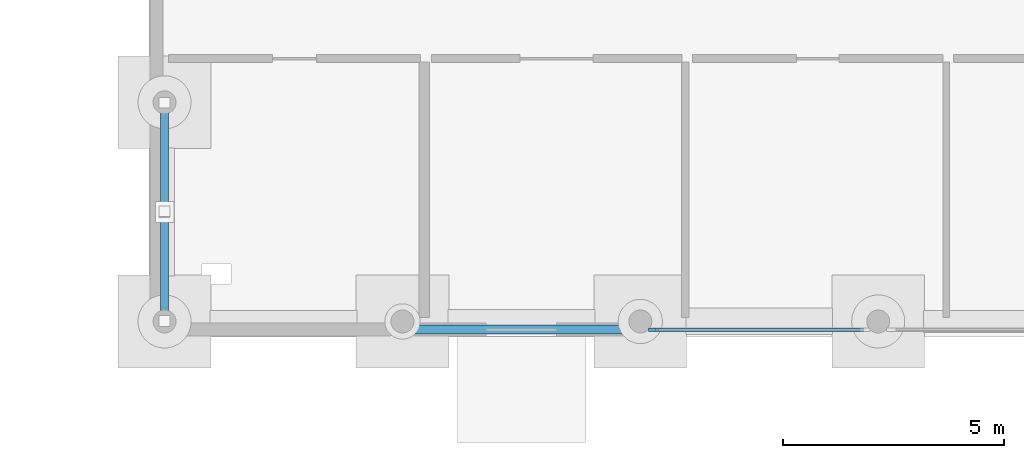
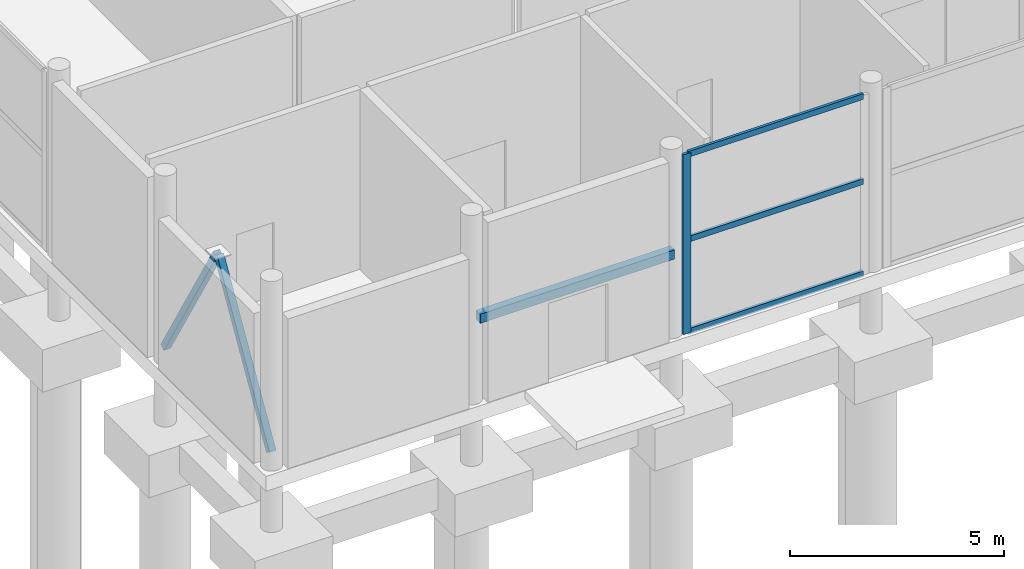
# One storey, part 33 of 88: 6 members, 1 beam, 1 element without a shape of its own.
"""IFC4 building model written with IfcOpenShell, lengths in metres."""

from ifc_helpers import new_model, si_unit, direction, frame, origin, origin_2d, place, context, subcontext, project, spatial, rectangle, hollow_rectangle, extrude, material, layer, layer_set, material_profile, profile_set, type_object, element, aggregate, save


model = new_model("IFC4")

# Units and contexts
model_context = context("Model", 3, precision=1e-05, world=origin(), true_north=direction((0.0, 1.0)))
body_context = subcontext(model_context, "Body", "Model", "MODEL_VIEW")
ifc_project = project(units=[si_unit("LENGTHUNIT", "METRE"), si_unit("AREAUNIT", "SQUARE_METRE"), si_unit("VOLUMEUNIT", "CUBIC_METRE"), si_unit("PLANEANGLEUNIT", "RADIAN"), si_unit("MASSUNIT", "GRAM", prefix="KILO")], contexts=[model_context])

# Site, building, storey
site_placement = place(None, origin())
site = spatial("IfcSite", under=ifc_project, at=site_placement, CompositionType="ELEMENT")
building_placement = place(site_placement, origin())
building = spatial("IfcBuilding", under=site, at=building_placement, Name="Birchvale Park Specialist Clinic", CompositionType="ELEMENT")
storey_placement = place(building_placement, origin())
storey = spatial("IfcBuildingStorey", under=building, at=storey_placement, Name="L00", CompositionType="ELEMENT", Elevation=0.0)

# Curtain wall, members
ifc_material_1 = material(Name="Thermally broken anodised aluminium", Category="aluminium")
ifc_layer = layer(ifc_material_1, 0.1650390625)
ifc_layer_set = layer_set([ifc_layer], Name="Thermally broken anodised aluminium")
curtain_wall_type = type_object("IfcCurtainWallType", Name="CW-S1", PredefinedType="USERDEFINED", material=ifc_layer_set)
curtain_wall_placement = place(storey_placement, origin())
curtain_wall = element("IfcCurtainWall", 1, at=curtain_wall_placement, inside=storey, type_object=curtain_wall_type, Name="V3 L00 glazed curtain wall 33", ObjectType="STICK", PredefinedType="USERDEFINED")
ifc_material_profile_1 = material_profile(ifc_material_1, rectangle(XDim=0.074951171875, YDim=0.219970703125, at=origin_2d()), Name="CWM-75x220")
ifc_profile_set_1 = profile_set([ifc_material_profile_1], Name="Thermally broken anodised aluminium")
member_type_1 = type_object("IfcMemberType", Name="CWM4", PredefinedType="MULLION", material=ifc_profile_set_1)
member_1_placement = place(storey_placement, frame((63.218994140625, 91.364990234375, 0.0), z_axis=(0.0, 0.0, 1.0), x_axis=(0.0, 1.0, 0.0)))
member_1 = element("IfcMember", 2, at=member_1_placement, type_object=member_type_1, Name="CW mullion 1", PredefinedType="MULLION", context=body_context, shape_type="SweptSolid", body=[
    extrude(rectangle(XDim=0.074951171875, YDim=0.219970703125, at=origin_2d()), origin(), (0.0, 0.0, 1.0), 5.125),
])
ifc_material_profile_2 = material_profile(ifc_material_1, rectangle(XDim=0.074951171875, YDim=0.1650390625, at=origin_2d()), Name="CWT-75x165")
ifc_profile_set_2 = profile_set([ifc_material_profile_2], Name="Thermally broken anodised aluminium")
member_type_2 = type_object("IfcMemberType", Name="CWT4", PredefinedType="USERDEFINED", material=ifc_profile_set_2)
member_2_placement = place(storey_placement, frame((63.25634765625, 91.364990234375, 0.03759765625), z_axis=(1.0, 0.0, 0.0), x_axis=(0.0, 1.0, 0.0)))
member_2 = element("IfcMember", 3, at=member_2_placement, type_object=member_type_2, Name="CW transom 1.1", ObjectType="TRANSOM", PredefinedType="USERDEFINED", context=body_context, shape_type="SweptSolid", body=[
    extrude(rectangle(XDim=0.074951171875, YDim=0.1650390625, at=origin_2d()), origin(), (0.0, 0.0, 1.0), 4.7158203125),
])
member_3_placement = place(storey_placement, frame((63.25634765625, 91.364990234375, 2.6650390625), z_axis=(1.0, 0.0, 0.0), x_axis=(0.0, 1.0, 0.0)))
member_3 = element("IfcMember", 4, at=member_3_placement, type_object=member_type_2, Name="CW transom 1.2", ObjectType="TRANSOM", PredefinedType="USERDEFINED", context=body_context, shape_type="SweptSolid", body=[
    extrude(rectangle(XDim=0.074951171875, YDim=0.1650390625, at=origin_2d()), origin(), (0.0, 0.0, 1.0), 4.7158203125),
])
member_4_placement = place(storey_placement, frame((63.25634765625, 91.364990234375, 5.08740234375), z_axis=(1.0, 0.0, 0.0), x_axis=(0.0, 1.0, 0.0)))
member_4 = element("IfcMember", 5, at=member_4_placement, type_object=member_type_2, Name="CW transom 1.3", ObjectType="TRANSOM", PredefinedType="USERDEFINED", context=body_context, shape_type="SweptSolid", body=[
    extrude(rectangle(XDim=0.074951171875, YDim=0.1650390625, at=origin_2d()), origin(), (0.0, 0.0, 1.0), 4.7158203125),
])
aggregate(curtain_wall, [member_1, member_2, member_3, member_4])

# Beam
ifc_material_2 = material(Name="Concrete C40/50", Category="concrete")
ifc_material_profile_3 = material_profile(ifc_material_2, rectangle(XDim=0.199951171875, YDim=0.260009765625, at=origin_2d()), Name="LNT-200x260")
ifc_profile_set_3 = profile_set([ifc_material_profile_3], Name="Concrete C40/50")
beam_type = type_object("IfcBeamType", Name="LNT-EXT-LN3", PredefinedType="LINTEL", material=ifc_profile_set_3)
beam_placement = place(storey_placement, frame((57.610595703125, 91.364990234375, 2.419921875), z_axis=(1.0, 0.0, 0.0), x_axis=(0.0, 1.0, 0.0)))
element("IfcBeam", 6, at=beam_placement, inside=storey, type_object=beam_type, Name="V3 L00 exit opening lintel 9", PredefinedType="LINTEL", context=body_context, shape_type="SweptSolid", body=[
    extrude(rectangle(XDim=0.199951171875, YDim=0.260009765625, at=origin_2d()), origin(), (0.0, 0.0, 1.0), 5.23583984375),
])

# Members
ifc_material_3 = material(Name="Steel ASTM A500 Grade C", Category="steel")
ifc_material_profile_4 = material_profile(ifc_material_3, hollow_rectangle(XDim=0.179931640625, YDim=0.179931640625, WallThickness=0.010009765625, at=origin_2d()), Name="HSS180X180X10")
ifc_profile_set_4 = profile_set([ifc_material_profile_4], Name="Steel ASTM A500 Grade C")
member_type_3 = type_object("IfcMemberType", Name="MEM-BR6", PredefinedType="BRACE", material=ifc_profile_set_4)
member_5_placement = place(storey_placement, frame((52.14990234375, 91.565185546875, 0.375732421875), z_axis=(0.0, 0.509537997236, 0.860448156121), x_axis=(-1.0, 0.0, 0.0)))
element("IfcMember", 7, at=member_5_placement, inside=storey, type_object=member_type_3, Name="V3 L00 chevron steel brace 5.1", PredefinedType="BRACE", context=body_context, shape_type="SweptSolid", body=[
    extrude(hollow_rectangle(XDim=0.179931640625, YDim=0.179931640625, WallThickness=0.010009765625, at=origin_2d()), origin(), (0.0, 0.0, 1.0), 4.8095703125),
])
member_6_placement = place(storey_placement, frame((52.14990234375, 96.497314453125, 0.375732421875), z_axis=(0.0, -0.509575577684, 0.860425900719), x_axis=(1.0, 0.0, 0.0)))
element("IfcMember", 8, at=member_6_placement, inside=storey, type_object=member_type_3, Name="V3 L00 chevron steel brace 5.2", PredefinedType="BRACE", context=body_context, shape_type="SweptSolid", body=[
    extrude(hollow_rectangle(XDim=0.179931640625, YDim=0.179931640625, WallThickness=0.010009765625, at=origin_2d()), origin(), (0.0, 0.0, 1.0), 4.809814453125),
])

save(model, "model.ifc")
